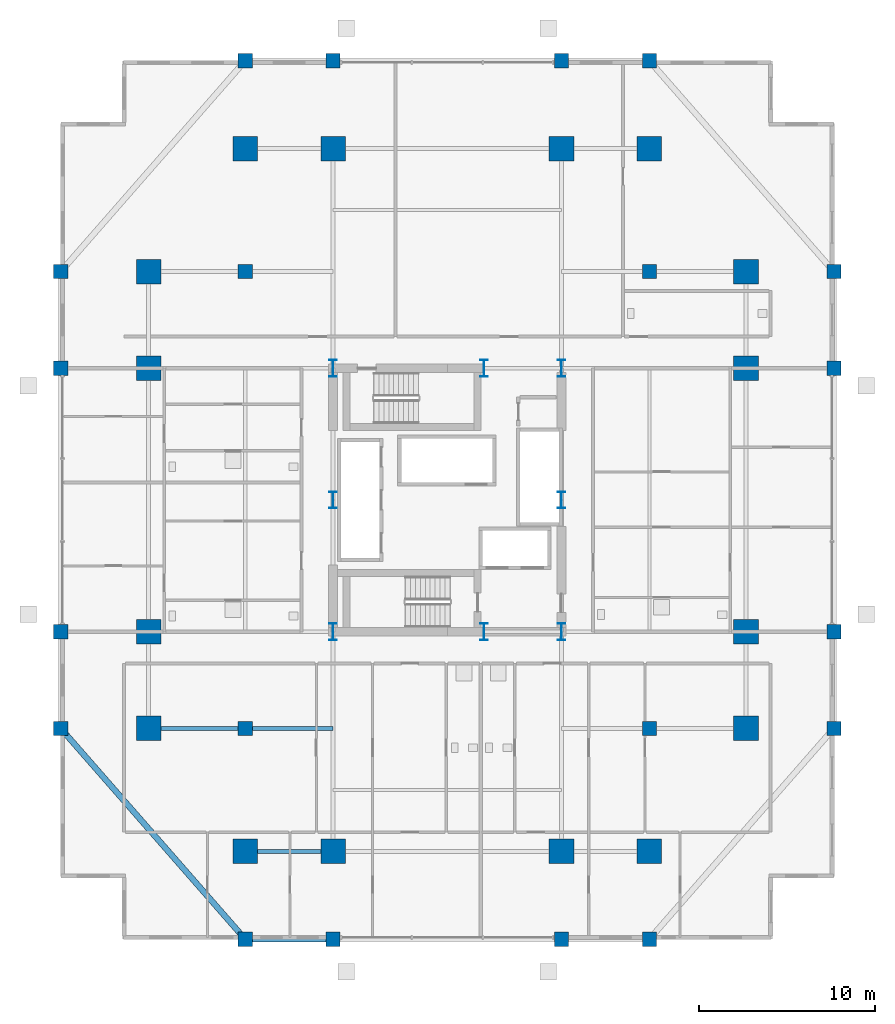
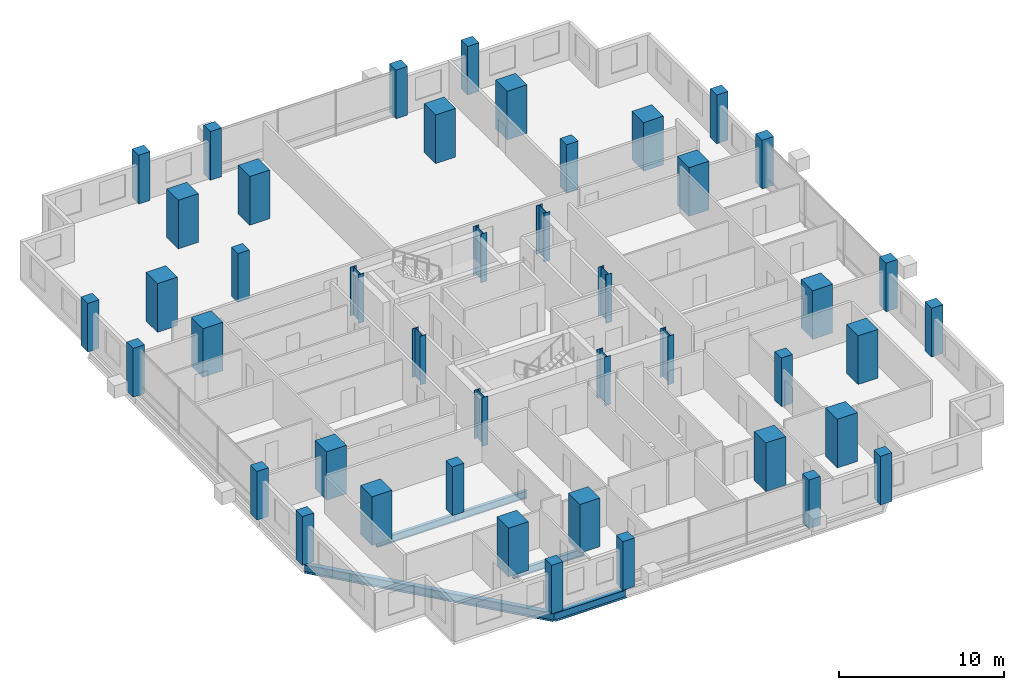
# One storey, part 1 of 23: 44 columns, 5 beams.
"""IFC4 building model written with IfcOpenShell, lengths in metres."""

from ifc_helpers import new_model, si_unit, direction, frame, origin, origin_2d, place, context, subcontext, project, spatial, rectangle, i_section, extrude, material, material_profile, profile_set, type_object, element, save


model = new_model("IFC4")

# Units and contexts
model_context = context("Model", 3, precision=1e-05, world=origin(), true_north=direction((0.0, 1.0)))
body_context = subcontext(model_context, "Body", "Model", "MODEL_VIEW")
ifc_project = project(units=[si_unit("LENGTHUNIT", "METRE"), si_unit("AREAUNIT", "SQUARE_METRE"), si_unit("VOLUMEUNIT", "CUBIC_METRE"), si_unit("PLANEANGLEUNIT", "RADIAN"), si_unit("MASSUNIT", "GRAM", prefix="KILO")], contexts=[model_context])

# Site, building, storey
site_placement = place(None, origin())
site = spatial("IfcSite", under=ifc_project, at=site_placement, CompositionType="ELEMENT")
building_placement = place(site_placement, origin())
building = spatial("IfcBuilding", under=site, at=building_placement, Name="Barlavira Tower and Art Museum", CompositionType="ELEMENT")
storey_placement = place(building_placement, frame((0.0, 0.0, 54.0)))
storey = spatial("IfcBuildingStorey", under=building, at=storey_placement, Name="L12", CompositionType="ELEMENT", Elevation=54.0)

# Columns
ifc_material_1 = material(Name="Steel S355", Category="steel")
ifc_material_profile_1 = material_profile(ifc_material_1, i_section(OverallWidth=0.419921875, OverallDepth=0.9599609375, WebThickness=0.02197265625, FlangeThickness=0.033935546875, at=origin_2d()), Name="W920x387.0")
ifc_profile_set_1 = profile_set([ifc_material_profile_1], Name="Steel S355")
column_type_1 = type_object("IfcColumnType", Name="Core Composite Column W920x387 Steel S355", PredefinedType="COLUMN", material=ifc_profile_set_1)
for number, where, z_axis, x_axis, name in (
    (1, (-6.5, -7.5, 0.0), (0.0, 0.0, 1.0), (1.0, 0.0, 0.0), "L12 Column CC-L12-C1"),
    (2, (2.080078125, -7.5, 0.0), (0.0, 0.0, 1.0), (1.0, 0.0, 0.0), "L12 Column CC-L12-C2"),
    (3, (6.5, -7.5, 0.0), (0.0, 0.0, 1.0), (1.0, 0.0, 0.0), "L12 Column CC-L12-C3"),
    (4, (-6.5, 0.0, 0.0), (0.0, 0.0, 1.0), (1.0, 0.0, 0.0), "L12 Column CC-L12-C4"),
    (5, (6.5, 0.0, 0.0), (0.0, 0.0, 1.0), (1.0, 0.0, 0.0), "L12 Column CC-L12-C5"),
    (6, (-6.5, 7.5, 0.0), (0.0, 0.0, 1.0), (1.0, 0.0, 0.0), "L12 Column CC-L12-C6"),
    (7, (2.080078125, 7.5, 0.0), (0.0, 0.0, 1.0), (1.0, 0.0, 0.0), "L12 Column CC-L12-C7"),
    (8, (6.5, 7.5, 0.0), (0.0, 0.0, 1.0), (1.0, 0.0, 0.0), "L12 Column CC-L12-C8"),
):
    element("IfcColumn", number, at=place(storey_placement, frame(where, z_axis=z_axis, x_axis=x_axis)), inside=storey, type_object=column_type_1, Name=name, PredefinedType="COLUMN", context=body_context, shape_type="SweptSolid", body=[
        extrude(i_section(OverallWidth=0.419921875, OverallDepth=0.9599609375, WebThickness=0.02197265625, FlangeThickness=0.033935546875, at=origin_2d()), origin(), (0.0, 0.0, 1.0), 3.60009765625),
    ])
ifc_material_2 = material(Name="Concrete C60", Category="concrete")
ifc_material_profile_2 = material_profile(ifc_material_2, rectangle(XDim=1.39990234375, YDim=1.39990234375, at=origin_2d()), Name="RC-MCOL 1400x1400")
ifc_profile_set_2 = profile_set([ifc_material_profile_2], Name="Concrete C60")
column_type_2 = type_object("IfcColumnType", Name="Perimeter Mega Column 1400x1400 Concrete C60", PredefinedType="USERDEFINED", material=ifc_profile_set_2)
for number, where, z_axis, x_axis, name in (
    (9, (-11.5, -20.0, 0.0), (0.0, 0.0, 1.0), (1.0, 0.0, 0.0), "L12 Column MC-L12-M01"),
    (10, (-6.5, -20.0, 0.0), (0.0, 0.0, 1.0), (1.0, 0.0, 0.0), "L12 Column MC-L12-M02"),
    (11, (6.5, -20.0, 0.0), (0.0, 0.0, 1.0), (1.0, 0.0, 0.0), "L12 Column MC-L12-M03"),
    (12, (11.5, -20.0, 0.0), (0.0, 0.0, 1.0), (1.0, 0.0, 0.0), "L12 Column MC-L12-M04"),
    (13, (17.0, -13.0, 0.0), (0.0, 0.0, 1.0), (1.0, 0.0, 0.0), "L12 Column MC-L12-M05"),
    (14, (17.0, -7.5, 0.0), (0.0, 0.0, 1.0), (1.0, 0.0, 0.0), "L12 Column MC-L12-M06"),
    (15, (17.0, 7.5, 0.0), (0.0, 0.0, 1.0), (1.0, 0.0, 0.0), "L12 Column MC-L12-M07"),
    (16, (17.0, 13.0, 0.0), (0.0, 0.0, 1.0), (1.0, 0.0, 0.0), "L12 Column MC-L12-M08"),
    (17, (11.5, 20.0, 0.0), (0.0, 0.0, 1.0), (1.0, 0.0, 0.0), "L12 Column MC-L12-M09"),
    (18, (6.5, 20.0, 0.0), (0.0, 0.0, 1.0), (1.0, 0.0, 0.0), "L12 Column MC-L12-M10"),
    (19, (-6.5, 20.0, 0.0), (0.0, 0.0, 1.0), (1.0, 0.0, 0.0), "L12 Column MC-L12-M11"),
    (20, (-11.5, 20.0, 0.0), (0.0, 0.0, 1.0), (1.0, 0.0, 0.0), "L12 Column MC-L12-M12"),
    (21, (-17.0, 13.0, 0.0), (0.0, 0.0, 1.0), (1.0, 0.0, 0.0), "L12 Column MC-L12-M13"),
    (22, (-17.0, 7.5, 0.0), (0.0, 0.0, 1.0), (1.0, 0.0, 0.0), "L12 Column MC-L12-M14"),
    (23, (-17.0, -7.5, 0.0), (0.0, 0.0, 1.0), (1.0, 0.0, 0.0), "L12 Column MC-L12-M15"),
    (24, (-17.0, -13.0, 0.0), (0.0, 0.0, 1.0), (1.0, 0.0, 0.0), "L12 Column MC-L12-M16"),
):
    element("IfcColumn", number, at=place(storey_placement, frame(where, z_axis=z_axis, x_axis=x_axis)), inside=storey, type_object=column_type_2, Name=name, ObjectType="MEGA COLUMN", PredefinedType="USERDEFINED", context=body_context, shape_type="SweptSolid", body=[
        extrude(rectangle(XDim=1.39990234375, YDim=1.39990234375, at=origin_2d()), origin(), (0.0, 0.0, 1.0), 3.60009765625),
    ])
ifc_material_3 = material(Name="Concrete C50", Category="concrete")
ifc_material_profile_3 = material_profile(ifc_material_3, rectangle(XDim=0.800048828125, YDim=0.800048828125, at=origin_2d()), Name="RC-COL 800x800")
ifc_profile_set_3 = profile_set([ifc_material_profile_3], Name="Concrete C50")
column_type_3 = type_object("IfcColumnType", Name="Podium Frame Column 800x800 Concrete C50", PredefinedType="COLUMN", material=ifc_profile_set_3)
for number, where, z_axis, x_axis, name in (
    (25, (-11.5, -13.0, 0.0), (0.0, 0.0, 1.0), (1.0, 0.0, 0.0), "L12 Column CI-L12-I1"),
    (26, (11.5, -13.0, 0.0), (0.0, 0.0, 1.0), (1.0, 0.0, 0.0), "L12 Column CI-L12-I2"),
    (27, (-11.5, 13.0, 0.0), (0.0, 0.0, 1.0), (1.0, 0.0, 0.0), "L12 Column CI-L12-I3"),
    (28, (11.5, 13.0, 0.0), (0.0, 0.0, 1.0), (1.0, 0.0, 0.0), "L12 Column CI-L12-I4"),
    (29, (-11.5, -25.0, 0.0), (0.0, 0.0, 1.0), (1.0, 0.0, 0.0), "L12 Column CZ1-L12-N01"),
    (30, (-6.5, -25.0, 0.0), (0.0, 0.0, 1.0), (1.0, 0.0, 0.0), "L12 Column CZ1-L12-N02"),
    (31, (6.5, -25.0, 0.0), (0.0, 0.0, 1.0), (1.0, 0.0, 0.0), "L12 Column CZ1-L12-N02B"),
    (32, (11.5, -25.0, 0.0), (0.0, 0.0, 1.0), (1.0, 0.0, 0.0), "L12 Column CZ1-L12-N03"),
    (33, (-22.0, -13.0, 0.0), (0.0, 0.0, 1.0), (1.0, 0.0, 0.0), "L12 Column CZ1-L12-N04"),
    (34, (-22.0, -7.5, 0.0), (0.0, 0.0, 1.0), (1.0, 0.0, 0.0), "L12 Column CZ1-L12-N05"),
    (35, (-22.0, 7.5, 0.0), (0.0, 0.0, 1.0), (1.0, 0.0, 0.0), "L12 Column CZ1-L12-N05B"),
    (36, (-22.0, 13.0, 0.0), (0.0, 0.0, 1.0), (1.0, 0.0, 0.0), "L12 Column CZ1-L12-N06"),
    (37, (-11.5, 25.0, 0.0), (0.0, 0.0, 1.0), (1.0, 0.0, 0.0), "L12 Column CZ1-L12-N07"),
    (38, (-6.5, 25.0, 0.0), (0.0, 0.0, 1.0), (1.0, 0.0, 0.0), "L12 Column CZ1-L12-N08"),
    (39, (6.5, 25.0, 0.0), (0.0, 0.0, 1.0), (1.0, 0.0, 0.0), "L12 Column CZ1-L12-N08B"),
    (40, (11.5, 25.0, 0.0), (0.0, 0.0, 1.0), (1.0, 0.0, 0.0), "L12 Column CZ1-L12-N09"),
    (41, (22.0, -13.0, 0.0), (0.0, 0.0, 1.0), (1.0, 0.0, 0.0), "L12 Column CZ1-L12-N10"),
    (42, (22.0, -7.5, 0.0), (0.0, 0.0, 1.0), (1.0, 0.0, 0.0), "L12 Column CZ1-L12-N11"),
    (43, (22.0, 7.5, 0.0), (0.0, 0.0, 1.0), (1.0, 0.0, 0.0), "L12 Column CZ1-L12-N11B"),
    (44, (22.0, 13.0, 0.0), (0.0, 0.0, 1.0), (1.0, 0.0, 0.0), "L12 Column CZ1-L12-N12"),
):
    element("IfcColumn", number, at=place(storey_placement, frame(where, z_axis=z_axis, x_axis=x_axis)), inside=storey, type_object=column_type_3, Name=name, PredefinedType="COLUMN", context=body_context, shape_type="SweptSolid", body=[
        extrude(rectangle(XDim=0.800048828125, YDim=0.800048828125, at=origin_2d()), origin(), (0.0, 0.0, 1.0), 3.60009765625),
    ])

# Beams
ifc_material_profile_4 = material_profile(ifc_material_1, i_section(OverallWidth=0.327880859375, OverallDepth=0.62890625, WebThickness=0.013916015625, FlangeThickness=0.021484375, at=origin_2d()), Name="W610x174.0")
ifc_profile_set_4 = profile_set([ifc_material_profile_4], Name="Steel S355")
beam_type_1 = type_object("IfcBeamType", Name="Perimeter Spandrel Edge Beam W610x174 Steel S355", PredefinedType="SPANDREL", material=ifc_profile_set_4)
beam_1_placement = place(storey_placement, frame((-11.5, -25.0, -0.534423828125), z_axis=(1.0, 0.0, 0.0), x_axis=(0.0, 1.0, 0.0)))
element("IfcBeam", 45, at=beam_1_placement, inside=storey, type_object=beam_type_1, Name="L12 Spandrel 1", PredefinedType="SPANDREL", context=body_context, shape_type="SweptSolid", body=[
    extrude(i_section(OverallWidth=0.327880859375, OverallDepth=0.62890625, WebThickness=0.013916015625, FlangeThickness=0.021484375, at=origin_2d()), origin(), (0.0, 0.0, 1.0), 5.0),
])
beam_2_placement = place(storey_placement, frame((-22.0, -13.0, -0.534423828125), z_axis=(0.658504607869, -0.752576694707, 0.0), x_axis=(0.752576694707, 0.658504607869, 0.0)))
element("IfcBeam", 46, at=beam_2_placement, inside=storey, type_object=beam_type_1, Name="L12 Spandrel 16", PredefinedType="SPANDREL", context=body_context, shape_type="SweptSolid", body=[
    extrude(i_section(OverallWidth=0.327880859375, OverallDepth=0.62890625, WebThickness=0.013916015625, FlangeThickness=0.021484375, at=origin_2d()), origin(), (0.0, 0.0, 1.0), 15.9453125),
])
ifc_material_profile_5 = material_profile(ifc_material_1, i_section(OverallWidth=0.214111328125, OverallDepth=0.549072265625, WebThickness=0.0146484375, FlangeThickness=0.023681640625, at=origin_2d()), Name="W530x138.0")
ifc_profile_set_5 = profile_set([ifc_material_profile_5], Name="Steel S355")
beam_type_2 = type_object("IfcBeamType", Name="Zone 1 Primary Floor Girder W530x138 Steel S355", PredefinedType="BEAM", material=ifc_profile_set_5)
beam_3_placement = place(storey_placement, frame((-11.5, -20.0, -0.494384765625), z_axis=(1.0, 0.0, 0.0), x_axis=(0.0, 1.0, 0.0)))
element("IfcBeam", 47, at=beam_3_placement, inside=storey, type_object=beam_type_2, Name="L12 Girder M-S1", PredefinedType="BEAM", context=body_context, shape_type="SweptSolid", body=[
    extrude(i_section(OverallWidth=0.214111328125, OverallDepth=0.549072265625, WebThickness=0.0146484375, FlangeThickness=0.023681640625, at=origin_2d()), origin(), (0.0, 0.0, 1.0), 5.0),
])
beam_4_placement = place(storey_placement, frame((-17.0, -13.0, -0.494384765625), z_axis=(1.0, 0.0, 0.0), x_axis=(0.0, 1.0, 0.0)))
element("IfcBeam", 48, at=beam_4_placement, inside=storey, type_object=beam_type_2, Name="L12 Girder I-S1", PredefinedType="BEAM", context=body_context, shape_type="SweptSolid", body=[
    extrude(i_section(OverallWidth=0.214111328125, OverallDepth=0.549072265625, WebThickness=0.0146484375, FlangeThickness=0.023681640625, at=origin_2d()), origin(), (0.0, 0.0, 1.0), 5.5),
])
beam_5_placement = place(storey_placement, frame((-11.5, -13.0, -0.494384765625), z_axis=(1.0, 0.0, 0.0), x_axis=(0.0, 1.0, 0.0)))
element("IfcBeam", 49, at=beam_5_placement, inside=storey, type_object=beam_type_2, Name="L12 Girder I-S2", PredefinedType="BEAM", context=body_context, shape_type="SweptSolid", body=[
    extrude(i_section(OverallWidth=0.214111328125, OverallDepth=0.549072265625, WebThickness=0.0146484375, FlangeThickness=0.023681640625, at=origin_2d()), origin(), (0.0, 0.0, 1.0), 5.0),
])

save(model, "model.ifc")
